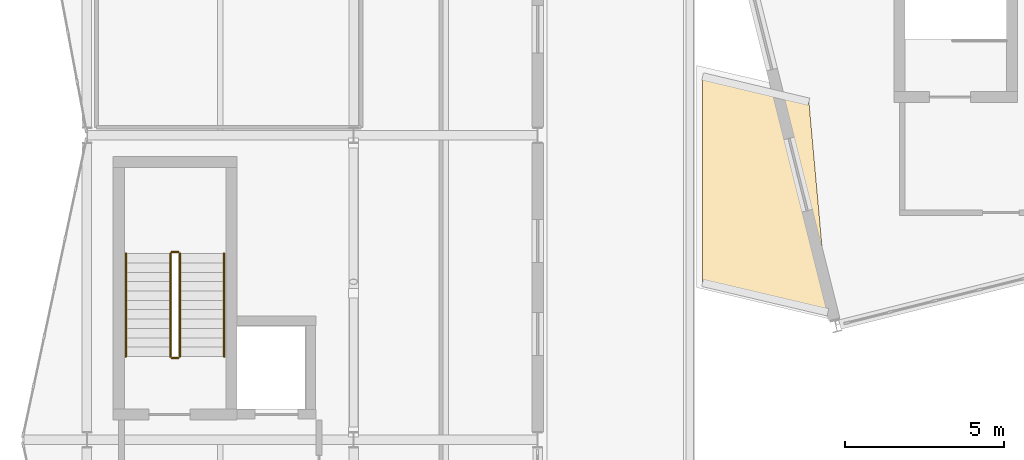
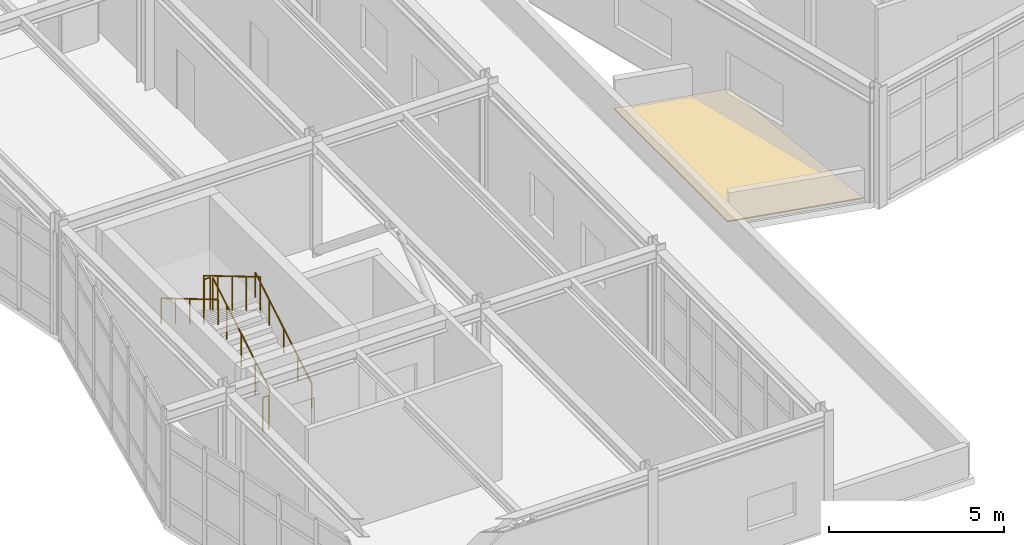
# One storey, part 60 of 64: 6 railings, 1 covering.
"""IFC4 building model written with IfcOpenShell, lengths in metres."""

from ifc_helpers import new_model, si_unit, direction, frame, origin, origin_2d, place, context, subcontext, project, spatial, polyline, circle, outline, extrude, material, layer, layer_set, type_object, element, save


model = new_model("IFC4")

# Units and contexts
model_context = context("Model", 3, precision=1e-05, world=origin(), true_north=direction((0.0, 1.0)))
body_context = subcontext(model_context, "Body", "Model", "MODEL_VIEW")
ifc_project = project(units=[si_unit("LENGTHUNIT", "METRE"), si_unit("AREAUNIT", "SQUARE_METRE"), si_unit("VOLUMEUNIT", "CUBIC_METRE"), si_unit("PLANEANGLEUNIT", "RADIAN"), si_unit("MASSUNIT", "GRAM", prefix="KILO")], contexts=[model_context])

# Site, building, storey
site_placement = place(None, origin())
site = spatial("IfcSite", under=ifc_project, at=site_placement, CompositionType="ELEMENT")
building_placement = place(site_placement, origin())
building = spatial("IfcBuilding", under=site, at=building_placement, Name="Nordkorset Police Headquarters", CompositionType="ELEMENT")
storey_placement = place(building_placement, frame((0.0, 0.0, 17.85009765625)))
storey = spatial("IfcBuildingStorey", under=building, at=storey_placement, Name="L04", CompositionType="ELEMENT", Elevation=17.85009765625)

# Railings
ifc_material_1 = material(Name="Steel S355J2", Category="steel")
ifc_layer_1 = layer(ifc_material_1, 0.048095703125, Name="Steel S355J2")
ifc_layer_set_1 = layer_set([ifc_layer_1], Name="Steel S355J2")
railing_type_1 = type_object("IfcRailingType", Name="Railing_Handrail_900", PredefinedType="HANDRAIL", material=ifc_layer_set_1)
railing_1_placement = place(storey_placement, frame((4.324951171875, 41.02490234375, 0.1748046875)))
element("IfcRailing", 1, at=railing_1_placement, inside=storey, type_object=railing_type_1, Name="L04 ST-04 stair handrail 1", PredefinedType="HANDRAIL", context=body_context, shape_type="SweptSolid", body=[
    extrude(circle(Radius=0.02392578125, at=origin_2d()), frame((0.0, 0.0, 0.8759765625), z_axis=(0.0, 0.860057060016, 0.510197857224), x_axis=(-1.0, 0.0, 0.0)), (0.0, 0.0, 1.0), 3.773193359375),
    extrude(circle(Radius=0.02099609375, at=origin_2d()), origin(), (0.0, 0.0, 1.0), 0.851806640625),
    extrude(circle(Radius=0.02099609375, at=origin_2d()), frame((0.0, 0.811279296875, 0.481201171875)), (0.0, 0.0, 1.0), 0.851806640625),
    extrude(circle(Radius=0.02099609375, at=origin_2d()), frame((0.0, 1.62255859375, 0.96240234375)), (0.0, 0.0, 1.0), 0.851806640625),
    extrude(circle(Radius=0.02099609375, at=origin_2d()), frame((0.0, 2.433837890625, 1.44384765625)), (0.0, 0.0, 1.0), 0.851806640625),
    extrude(circle(Radius=0.02099609375, at=origin_2d()), frame((0.0, 3.2451171875, 1.925048828125)), (0.0, 0.0, 1.0), 0.851806640625),
])
railing_2_placement = place(storey_placement, frame((1.22509765625, 44.27001953125, 2.27490234375)))
element("IfcRailing", 2, at=railing_2_placement, inside=storey, type_object=railing_type_1, Name="L04 ST-04 stair handrail 2", PredefinedType="HANDRAIL", context=body_context, shape_type="SweptSolid", body=[
    extrude(circle(Radius=0.02392578125, at=origin_2d()), frame((0.0, 0.0, 0.8759765625), z_axis=(0.0, -0.860057060016, 0.510197857224), x_axis=(1.0, 0.0, 0.0)), (0.0, 0.0, 1.0), 3.773193359375),
    extrude(circle(Radius=0.02099609375, at=origin_2d()), origin(), (0.0, 0.0, 1.0), 0.851806640625),
    extrude(circle(Radius=0.02099609375, at=origin_2d()), frame((0.0, -0.811279296875, 0.481201171875)), (0.0, 0.0, 1.0), 0.851806640625),
    extrude(circle(Radius=0.02099609375, at=origin_2d()), frame((0.0, -1.62255859375, 0.96240234375)), (0.0, 0.0, 1.0), 0.851806640625),
    extrude(circle(Radius=0.02099609375, at=origin_2d()), frame((0.0, -2.433837890625, 1.44384765625)), (0.0, 0.0, 1.0), 0.851806640625),
    extrude(circle(Radius=0.02099609375, at=origin_2d()), frame((0.0, -3.2451171875, 1.925048828125)), (0.0, 0.0, 1.0), 0.851806640625),
])
ifc_material_2 = material(Name="Steel S355J2", Category="steel")
ifc_layer_2 = layer(ifc_material_2, 0.050048828125, Name="Steel S355J2")
ifc_layer_set_2 = layer_set([ifc_layer_2], Name="Steel S355J2")
railing_type_2 = type_object("IfcRailingType", Name="Railing_StairGuard_1200", PredefinedType="GUARDRAIL", material=ifc_layer_set_2)
railing_3_placement = place(storey_placement, frame((2.925048828125, 41.02490234375, 0.1748046875)))
element("IfcRailing", 3, at=railing_3_placement, inside=storey, type_object=railing_type_2, Name="L04 ST-04 stair guard 1", PredefinedType="GUARDRAIL", context=body_context, shape_type="SweptSolid", body=[
    extrude(circle(Radius=0.02392578125, at=origin_2d()), frame((0.0, 0.0, 1.17578125), z_axis=(0.0, 0.860057060016, 0.510197857224), x_axis=(-1.0, 0.0, 0.0)), (0.0, 0.0, 1.0), 3.773193359375),
    extrude(circle(Radius=0.02099609375, at=origin_2d()), origin(), (0.0, 0.0, 1.0), 1.15185546875),
    extrude(circle(Radius=0.02099609375, at=origin_2d()), frame((0.0, 0.811279296875, 0.481201171875)), (0.0, 0.0, 1.0), 1.15185546875),
    extrude(circle(Radius=0.02099609375, at=origin_2d()), frame((0.0, 1.62255859375, 0.96240234375)), (0.0, 0.0, 1.0), 1.15185546875),
    extrude(circle(Radius=0.02099609375, at=origin_2d()), frame((0.0, 2.433837890625, 1.44384765625)), (0.0, 0.0, 1.0), 1.15185546875),
    extrude(circle(Radius=0.02099609375, at=origin_2d()), frame((0.0, 3.2451171875, 1.925048828125)), (0.0, 0.0, 1.0), 1.15185546875),
])
railing_4_placement = place(storey_placement, frame((2.875, 44.320068359375, 2.099853515625)))
element("IfcRailing", 4, at=railing_4_placement, inside=storey, type_object=railing_type_2, Name="L04 ST-04 stair guard 2", PredefinedType="GUARDRAIL", context=body_context, shape_type="SweptSolid", body=[
    extrude(circle(Radius=0.02392578125, at=origin_2d()), frame((0.0, 0.0, 1.17578125), z_axis=(-1.0, 0.0, 0.0), x_axis=(0.0, -1.0, 0.0)), (0.0, 0.0, 1.0), 0.199951171875),
    extrude(circle(Radius=0.02099609375, at=origin_2d()), origin(), (0.0, 0.0, 1.0), 1.15185546875),
    extrude(circle(Radius=0.02099609375, at=origin_2d()), frame((-0.199951171875, 0.0, 0.0)), (0.0, 0.0, 1.0), 1.15185546875),
])
railing_5_placement = place(storey_placement, frame((2.625, 44.27001953125, 2.27490234375)))
element("IfcRailing", 5, at=railing_5_placement, inside=storey, type_object=railing_type_2, Name="L04 ST-04 stair guard 3", PredefinedType="GUARDRAIL", context=body_context, shape_type="SweptSolid", body=[
    extrude(circle(Radius=0.02392578125, at=origin_2d()), frame((0.0, 0.0, 1.17578125), z_axis=(0.0, -0.860057060016, 0.510197857224), x_axis=(1.0, 0.0, 0.0)), (0.0, 0.0, 1.0), 3.773193359375),
    extrude(circle(Radius=0.02099609375, at=origin_2d()), origin(), (0.0, 0.0, 1.0), 1.15185546875),
    extrude(circle(Radius=0.02099609375, at=origin_2d()), frame((0.0, -0.811279296875, 0.481201171875)), (0.0, 0.0, 1.0), 1.15185546875),
    extrude(circle(Radius=0.02099609375, at=origin_2d()), frame((0.0, -1.62255859375, 0.96240234375)), (0.0, 0.0, 1.0), 1.15185546875),
    extrude(circle(Radius=0.02099609375, at=origin_2d()), frame((0.0, -2.433837890625, 1.44384765625)), (0.0, 0.0, 1.0), 1.15185546875),
    extrude(circle(Radius=0.02099609375, at=origin_2d()), frame((0.0, -3.2451171875, 1.925048828125)), (0.0, 0.0, 1.0), 1.15185546875),
])
railing_6_placement = place(storey_placement, frame((2.875, 40.97509765625, 0.0)))
element("IfcRailing", 6, at=railing_6_placement, inside=storey, type_object=railing_type_2, Name="L04 ST-04 stair guard 4", PredefinedType="GUARDRAIL", context=body_context, shape_type="SweptSolid", body=[
    extrude(circle(Radius=0.02392578125, at=origin_2d()), frame((0.0, 0.0, 1.17578125), z_axis=(-1.0, 0.0, 0.0), x_axis=(0.0, -1.0, 0.0)), (0.0, 0.0, 1.0), 0.199951171875),
    extrude(circle(Radius=0.02099609375, at=origin_2d()), origin(), (0.0, 0.0, 1.0), 1.15185546875),
    extrude(circle(Radius=0.02099609375, at=origin_2d()), frame((-0.199951171875, 0.0, 0.0)), (0.0, 0.0, 1.0), 1.15185546875),
])

# Covering
ifc_material_3 = material(Name="Patinated Nordic zinc")
ifc_layer_3 = layer(ifc_material_3, 0.0400390625, Name="Patinated Nordic zinc")
ifc_layer_set_3 = layer_set([ifc_layer_3], Name="Patinated Nordic zinc")
covering_type = type_object("IfcCoveringType", Name="Roofing_StandingSeam_Zinc", PredefinedType="ROOFING", material=ifc_layer_set_3)
covering_placement = place(storey_placement, origin())
element("IfcCovering", 7, at=covering_placement, inside=storey, type_object=covering_type, Name="Patinated Nordic Zinc Roof Covering ROOFCVR-BRGW", PredefinedType="ROOFING", context=body_context, shape_type="SweptSolid", body=[
    extrude(outline(polyline([(19.39990234375, 43.35009765625), (23.35009765625, 42.419921875), (22.75, 49.050048828125), (19.39990234375, 49.85009765625), (19.39990234375, 43.35009765625)])), origin(), (0.0, 0.0, 1.0), 0.039794921875),
])

save(model, "model.ifc")
